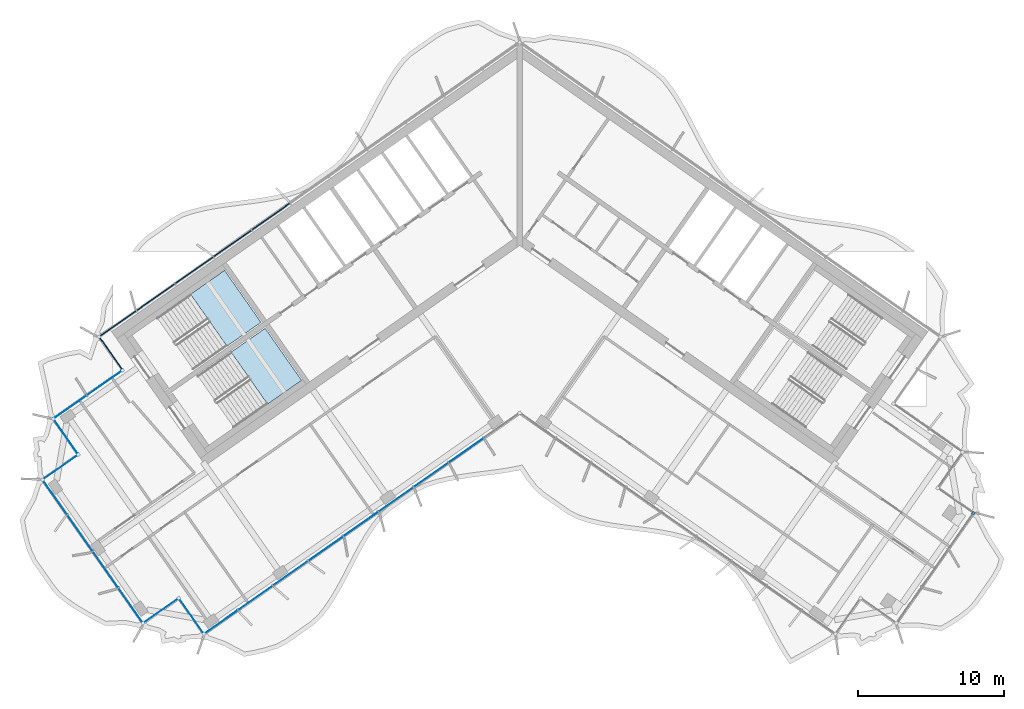
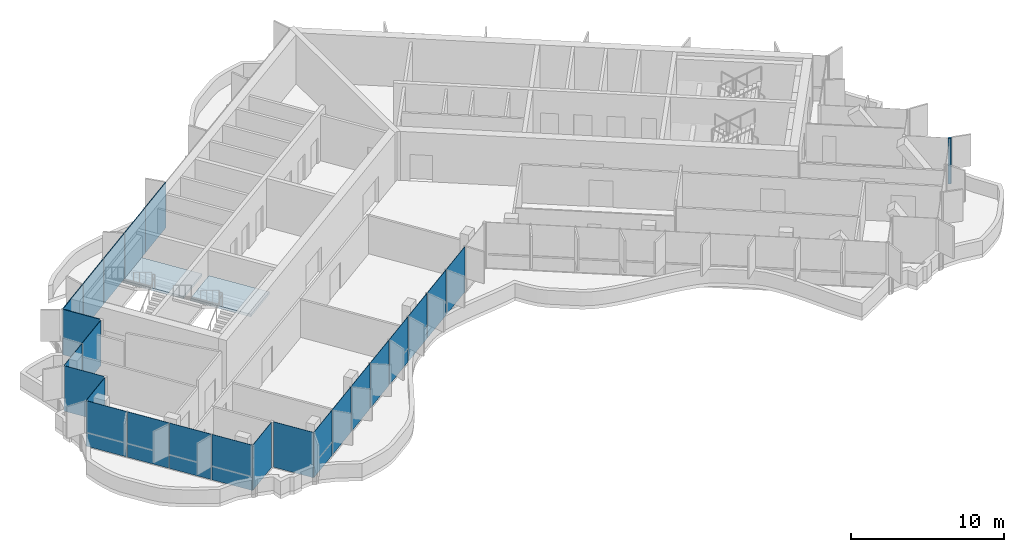
# One storey, part 7 of 18: 24 plates, 2 slabs, 1 member, 4 elements without a shape of their own.
"""IFC4 building model written with IfcOpenShell, lengths in metres."""

from ifc_helpers import new_model, si_unit, direction, frame, origin, origin_2d, place, context, subcontext, project, spatial, polyline, rectangle, outline, extrude, material, layer, layer_set, material_profile, profile_set, type_object, element, aggregate, save


model = new_model("IFC4")

# Units and contexts
model_context = context("Model", 3, precision=1e-05, world=origin(), true_north=direction((0.0, 1.0)))
body_context = subcontext(model_context, "Body", "Model", "MODEL_VIEW")
ifc_project = project(units=[si_unit("LENGTHUNIT", "METRE"), si_unit("AREAUNIT", "SQUARE_METRE"), si_unit("VOLUMEUNIT", "CUBIC_METRE"), si_unit("PLANEANGLEUNIT", "RADIAN"), si_unit("MASSUNIT", "GRAM", prefix="KILO")], contexts=[model_context])

# Site, building, storey
site_placement = place(None, origin())
site = spatial("IfcSite", under=ifc_project, at=site_placement, CompositionType="ELEMENT")
building_placement = place(site_placement, origin())
building = spatial("IfcBuilding", under=site, at=building_placement, Name="Tel Ilan Convention Tower", CompositionType="ELEMENT")
storey_placement = place(building_placement, frame((0.0, 0.0, 268.300048828125)))
storey = spatial("IfcBuildingStorey", under=building, at=storey_placement, Name="L63", CompositionType="ELEMENT", Elevation=268.300048828125)

# Curtain wall, member
ifc_material_1 = material(Name="Aluminium, bronze anodised", Category="aluminium")
curtain_wall_type_1 = type_object("IfcCurtainWallType", Name="CW5 STICK CURTAIN WALL, UPPER OFFICE LOW-IRON TINTED GLASS", PredefinedType="NOTDEFINED", material=ifc_material_1)
curtain_wall_1_placement = place(storey_placement, origin())
curtain_wall_1 = element("IfcCurtainWall", 1, at=curtain_wall_1_placement, inside=storey, type_object=curtain_wall_type_1, Name="Curtain wall CW5-48.02", PredefinedType="NOTDEFINED")
ifc_material_2 = material(Name="Aluminium, bronze anodised", Category="aluminium")
ifc_material_profile = material_profile(ifc_material_2, rectangle(XDim=0.199951171875, YDim=0.199951171875, at=origin_2d()), Name="CW CORNER MULLION 200x200")
ifc_profile_set = profile_set([ifc_material_profile], Name="Aluminium, bronze anodised")
member_type = type_object("IfcMemberType", Name="CW CORNER MULLION 200x200", PredefinedType="MULLION", material=ifc_profile_set)
member_placement = place(storey_placement, frame((31.09521484375, -19.57568359375, 0.0), z_axis=(0.0, 0.0, 1.0), x_axis=(0.573576436351, 0.819152044289, 0.0)))
member = element("IfcMember", 2, at=member_placement, type_object=member_type, Name="Corner mullion", PredefinedType="MULLION", context=body_context, shape_type="SweptSolid", body=[
    extrude(rectangle(XDim=0.199951171875, YDim=0.199951171875, at=origin_2d()), origin(), (0.0, 0.0, 1.0), 3.619873046875),
])

# Curtain wall, plates
ifc_material_3 = material(Name="Aluminium, bronze anodised", Category="aluminium")
curtain_wall_type_2 = type_object("IfcCurtainWallType", Name="CW2 STICK CURTAIN WALL, SPANDREL PANELS", PredefinedType="NOTDEFINED", material=ifc_material_3)
curtain_wall_2_placement = place(storey_placement, origin())
curtain_wall_2 = element("IfcCurtainWall", 3, at=curtain_wall_2_placement, inside=storey, type_object=curtain_wall_type_2, Name="Curtain wall CW2-48.01", PredefinedType="NOTDEFINED")
ifc_material_4 = material(Name="Aluminium composite panel, bronze anodised", Category="aluminium")
ifc_layer_1 = layer(ifc_material_4, 0.06005859375)
ifc_layer_set_1 = layer_set([ifc_layer_1], Name="CW SPANDREL PANEL 60")
plate_type_1 = type_object("IfcPlateType", Name="CW SPANDREL PANEL 60", PredefinedType="CURTAIN_PANEL", material=ifc_layer_set_1)
plate_1_placement = place(storey_placement, frame((-17.0546875, 0.754150390625, 0.0), z_axis=(0.0, 0.0, 1.0), x_axis=(-0.819152044289, -0.573576436351, 0.0)))
plate_1 = element("IfcPlate", 4, at=plate_1_placement, type_object=plate_type_1, Name="Spandrel panel", PredefinedType="CURTAIN_PANEL", context=body_context, shape_type="SweptSolid", body=[
    extrude(rectangle(XDim=3.15380859375, YDim=0.06005859375, at=origin_2d()), origin(), (0.0, 0.0, 1.0), 3.6201171875),
])
plate_2_placement = place(storey_placement, frame((-19.687255859375, -1.089111328125, 0.0), z_axis=(0.0, 0.0, 1.0), x_axis=(-0.819152044289, -0.573576436351, 0.0)))
plate_2 = element("IfcPlate", 5, at=plate_2_placement, type_object=plate_type_1, Name="Spandrel panel", PredefinedType="CURTAIN_PANEL", context=body_context, shape_type="SweptSolid", body=[
    extrude(rectangle(XDim=3.15380859375, YDim=0.06005859375, at=origin_2d()), origin(), (0.0, 0.0, 1.0), 3.6201171875),
])
plate_3_placement = place(storey_placement, frame((-22.31982421875, -2.9326171875, 0.0), z_axis=(0.0, 0.0, 1.0), x_axis=(-0.819152044289, -0.573576436351, 0.0)))
plate_3 = element("IfcPlate", 6, at=plate_3_placement, type_object=plate_type_1, Name="Spandrel panel", PredefinedType="CURTAIN_PANEL", context=body_context, shape_type="SweptSolid", body=[
    extrude(rectangle(XDim=3.15380859375, YDim=0.06005859375, at=origin_2d()), origin(), (0.0, 0.0, 1.0), 3.6201171875),
])
plate_4_placement = place(storey_placement, frame((-24.95263671875, -4.77587890625, 0.0), z_axis=(0.0, 0.0, 1.0), x_axis=(-0.819152044289, -0.573576436351, 0.0)))
plate_4 = element("IfcPlate", 7, at=plate_4_placement, type_object=plate_type_1, Name="Spandrel panel", PredefinedType="CURTAIN_PANEL", context=body_context, shape_type="SweptSolid", body=[
    extrude(rectangle(XDim=3.15380859375, YDim=0.06005859375, at=origin_2d()), origin(), (0.0, 0.0, 1.0), 3.6201171875),
])
plate_5_placement = place(storey_placement, frame((-27.5400390625, -6.587646484375, 0.0), z_axis=(0.0, 0.0, 1.0), x_axis=(-0.819152044289, -0.573576436351, 0.0)))
plate_5 = element("IfcPlate", 8, at=plate_5_placement, type_object=plate_type_1, Name="Spandrel panel", PredefinedType="CURTAIN_PANEL", context=body_context, shape_type="SweptSolid", body=[
    extrude(rectangle(XDim=3.0439453125, YDim=0.06005859375, at=origin_2d()), origin(), (0.0, 0.0, 1.0), 3.6201171875),
])
plate_6_placement = place(storey_placement, frame((-28.033935546875, -8.60546875, 0.0), z_axis=(0.0, 0.0, 1.0), x_axis=(0.573576436351, -0.819152044289, 0.0)))
plate_6 = element("IfcPlate", 9, at=plate_6_placement, type_object=plate_type_1, Name="Spandrel panel", PredefinedType="CURTAIN_PANEL", context=body_context, shape_type="SweptSolid", body=[
    extrude(rectangle(XDim=2.658935546875, YDim=0.06005859375, at=origin_2d()), origin(), (0.0, 0.0, 1.0), 3.6201171875),
])
aggregate(curtain_wall_2, [plate_1, plate_2, plate_3, plate_4, plate_5, plate_6])

# Plate
ifc_material_5 = material(Name="Glass, low-iron bronze tinted, two-ply", Category="glass")
ifc_layer_2 = layer(ifc_material_5, 0.031982421875)
ifc_layer_set_2 = layer_set([ifc_layer_2], Name="CW UPPER GLASS PANEL 32")
plate_type_2 = type_object("IfcPlateType", Name="CW UPPER GLASS PANEL 32", PredefinedType="CURTAIN_PANEL", material=ifc_layer_set_2)
plate_7_placement = place(storey_placement, frame((-28.471435546875, -10.657958984375, 0.0), z_axis=(0.0, 0.0, 1.0), x_axis=(-0.819152044289, -0.573576436351, 0.0)))
plate_7 = element("IfcPlate", 10, at=plate_7_placement, type_object=plate_type_2, Name="Glass panel", PredefinedType="CURTAIN_PANEL", context=body_context, shape_type="SweptSolid", body=[
    extrude(rectangle(XDim=2.868896484375, YDim=0.028076171875, at=origin_2d()), origin(), (0.0, 0.0, 1.0), 3.6201171875),
])

plate_8_placement = place(storey_placement, frame((-30.8203125, -12.302734375, 0.0), z_axis=(0.0, 0.0, 1.0), x_axis=(-0.819152044289, -0.573576436351, 0.0)))
plate_8 = element("IfcPlate", 11, at=plate_8_placement, type_object=plate_type_2, Name="Glass panel", PredefinedType="CURTAIN_PANEL", context=body_context, shape_type="SweptSolid", body=[
    extrude(rectangle(XDim=2.74609375, YDim=0.028076171875, at=origin_2d()), origin(), (0.0, 0.0, 1.0), 3.6201171875),
])

plate_9_placement = place(storey_placement, frame((-31.126220703125, -14.30126953125, 0.0), z_axis=(0.0, 0.0, 1.0), x_axis=(0.573576436351, -0.819152044289, 0.0)))
plate_9 = element("IfcPlate", 12, at=plate_9_placement, type_object=plate_type_2, Name="Glass panel", PredefinedType="CURTAIN_PANEL", context=body_context, shape_type="SweptSolid", body=[
    extrude(rectangle(XDim=2.875, YDim=0.028076171875, at=origin_2d()), origin(), (0.0, 0.0, 1.0), 3.6201171875),
])

plate_10_placement = place(storey_placement, frame((-31.504150390625, -16.44384765625, 0.0), z_axis=(0.0, 0.0, 1.0), x_axis=(-0.819152044289, -0.573576436351, 0.0)))
plate_10 = element("IfcPlate", 13, at=plate_10_placement, type_object=plate_type_2, Name="Glass panel", PredefinedType="CURTAIN_PANEL", context=body_context, shape_type="SweptSolid", body=[
    extrude(rectangle(XDim=2.875, YDim=0.028076171875, at=origin_2d()), origin(), (0.0, 0.0, 1.0), 3.6201171875),
])

plate_11_placement = place(storey_placement, frame((-31.85693359375, -18.488037109375, 0.0), z_axis=(0.0, 0.0, 1.0), x_axis=(0.573576436351, -0.819152044289, 0.0)))
plate_11 = element("IfcPlate", 14, at=plate_11_placement, type_object=plate_type_2, Name="Glass panel", PredefinedType="CURTAIN_PANEL", context=body_context, shape_type="SweptSolid", body=[
    extrude(rectangle(XDim=2.89599609375, YDim=0.028076171875, at=origin_2d()), origin(), (0.0, 0.0, 1.0), 3.6201171875),
])

plate_12_placement = place(storey_placement, frame((-30.134521484375, -20.94775390625, 0.0), z_axis=(0.0, 0.0, 1.0), x_axis=(0.573576436351, -0.819152044289, 0.0)))
plate_12 = element("IfcPlate", 15, at=plate_12_placement, type_object=plate_type_2, Name="Glass panel", PredefinedType="CURTAIN_PANEL", context=body_context, shape_type="SweptSolid", body=[
    extrude(rectangle(XDim=2.989990234375, YDim=0.028076171875, at=origin_2d()), origin(), (0.0, 0.0, 1.0), 3.6201171875),
])

plate_13_placement = place(storey_placement, frame((-28.38525390625, -23.4462890625, 0.0), z_axis=(0.0, 0.0, 1.0), x_axis=(0.573576436351, -0.819152044289, 0.0)))
plate_13 = element("IfcPlate", 16, at=plate_13_placement, type_object=plate_type_2, Name="Glass panel", PredefinedType="CURTAIN_PANEL", context=body_context, shape_type="SweptSolid", body=[
    extrude(rectangle(XDim=2.989990234375, YDim=0.028076171875, at=origin_2d()), origin(), (0.0, 0.0, 1.0), 3.6201171875),
])

plate_14_placement = place(storey_placement, frame((-26.66259765625, -25.90625, 0.0), z_axis=(0.0, 0.0, 1.0), x_axis=(0.573576436351, -0.819152044289, 0.0)))
plate_14 = element("IfcPlate", 17, at=plate_14_placement, type_object=plate_type_2, Name="Glass panel", PredefinedType="CURTAIN_PANEL", context=body_context, shape_type="SweptSolid", body=[
    extrude(rectangle(XDim=2.89599609375, YDim=0.028076171875, at=origin_2d()), origin(), (0.0, 0.0, 1.0), 3.6201171875),
])

plate_15_placement = place(storey_placement, frame((-24.621337890625, -26.273681640625, 0.0), z_axis=(0.0, 0.0, 1.0), x_axis=(0.819152044289, 0.573576436351, 0.0)))
plate_15 = element("IfcPlate", 18, at=plate_15_placement, type_object=plate_type_2, Name="Glass panel", PredefinedType="CURTAIN_PANEL", context=body_context, shape_type="SweptSolid", body=[
    extrude(rectangle(XDim=2.875, YDim=0.028076171875, at=origin_2d()), origin(), (0.0, 0.0, 1.0), 3.6201171875),
])

plate_16_placement = place(storey_placement, frame((-22.478515625, -26.651611328125, 0.0), z_axis=(0.0, 0.0, 1.0), x_axis=(0.573576436351, -0.819152044289, 0.0)))
plate_16 = element("IfcPlate", 19, at=plate_16_placement, type_object=plate_type_2, Name="Glass panel", PredefinedType="CURTAIN_PANEL", context=body_context, shape_type="SweptSolid", body=[
    extrude(rectangle(XDim=2.875, YDim=0.028076171875, at=origin_2d()), origin(), (0.0, 0.0, 1.0), 3.6201171875),
])

plate_17_placement = place(storey_placement, frame((-20.47998046875, -27.036376953125, 0.0), z_axis=(0.0, 0.0, 1.0), x_axis=(0.819152044289, 0.573576436351, 0.0)))
plate_17 = element("IfcPlate", 20, at=plate_17_placement, type_object=plate_type_2, Name="Glass panel", PredefinedType="CURTAIN_PANEL", context=body_context, shape_type="SweptSolid", body=[
    extrude(rectangle(XDim=2.78466796875, YDim=0.028076171875, at=origin_2d()), origin(), (0.0, 0.0, 1.0), 3.6201171875),
])

plate_18_placement = place(storey_placement, frame((-18.111328125, -25.377685546875, 0.0), z_axis=(0.0, 0.0, 1.0), x_axis=(0.819152044289, 0.573576436351, 0.0)))
plate_18 = element("IfcPlate", 21, at=plate_18_placement, type_object=plate_type_2, Name="Glass panel", PredefinedType="CURTAIN_PANEL", context=body_context, shape_type="SweptSolid", body=[
    extrude(rectangle(XDim=2.878662109375, YDim=0.028076171875, at=origin_2d()), origin(), (0.0, 0.0, 1.0), 3.6201171875),
])

plate_19_placement = place(storey_placement, frame((-15.7041015625, -23.692138671875, 0.0), z_axis=(0.0, 0.0, 1.0), x_axis=(0.819152044289, 0.573576436351, 0.0)))
plate_19 = element("IfcPlate", 22, at=plate_19_placement, type_object=plate_type_2, Name="Glass panel", PredefinedType="CURTAIN_PANEL", context=body_context, shape_type="SweptSolid", body=[
    extrude(rectangle(XDim=2.878662109375, YDim=0.028076171875, at=origin_2d()), origin(), (0.0, 0.0, 1.0), 3.6201171875),
])

plate_20_placement = place(storey_placement, frame((-13.296875, -22.006591796875, 0.0), z_axis=(0.0, 0.0, 1.0), x_axis=(0.819152044289, 0.573576436351, 0.0)))
plate_20 = element("IfcPlate", 23, at=plate_20_placement, type_object=plate_type_2, Name="Glass panel", PredefinedType="CURTAIN_PANEL", context=body_context, shape_type="SweptSolid", body=[
    extrude(rectangle(XDim=2.878662109375, YDim=0.028076171875, at=origin_2d()), origin(), (0.0, 0.0, 1.0), 3.6201171875),
])

plate_21_placement = place(storey_placement, frame((-10.8896484375, -20.321044921875, 0.0), z_axis=(0.0, 0.0, 1.0), x_axis=(0.819152044289, 0.573576436351, 0.0)))
plate_21 = element("IfcPlate", 24, at=plate_21_placement, type_object=plate_type_2, Name="Glass panel", PredefinedType="CURTAIN_PANEL", context=body_context, shape_type="SweptSolid", body=[
    extrude(rectangle(XDim=2.878662109375, YDim=0.028076171875, at=origin_2d()), origin(), (0.0, 0.0, 1.0), 3.6201171875),
])

plate_22_placement = place(storey_placement, frame((-8.482666015625, -18.635498046875, 0.0), z_axis=(0.0, 0.0, 1.0), x_axis=(0.819152044289, 0.573576436351, 0.0)))
plate_22 = element("IfcPlate", 25, at=plate_22_placement, type_object=plate_type_2, Name="Glass panel", PredefinedType="CURTAIN_PANEL", context=body_context, shape_type="SweptSolid", body=[
    extrude(rectangle(XDim=2.878662109375, YDim=0.028076171875, at=origin_2d()), origin(), (0.0, 0.0, 1.0), 3.6201171875),
])

plate_23_placement = place(storey_placement, frame((-6.075439453125, -16.949951171875, 0.0), z_axis=(0.0, 0.0, 1.0), x_axis=(0.819152044289, 0.573576436351, 0.0)))
plate_23 = element("IfcPlate", 26, at=plate_23_placement, type_object=plate_type_2, Name="Glass panel", PredefinedType="CURTAIN_PANEL", context=body_context, shape_type="SweptSolid", body=[
    extrude(rectangle(XDim=2.878662109375, YDim=0.028076171875, at=origin_2d()), origin(), (0.0, 0.0, 1.0), 3.6201171875),
])

plate_24_placement = place(storey_placement, frame((-3.668212890625, -15.264404296875, 0.0), z_axis=(0.0, 0.0, 1.0), x_axis=(0.819152044289, 0.573576436351, 0.0)))
plate_24 = element("IfcPlate", 27, at=plate_24_placement, type_object=plate_type_2, Name="Glass panel", PredefinedType="CURTAIN_PANEL", context=body_context, shape_type="SweptSolid", body=[
    extrude(rectangle(XDim=2.878662109375, YDim=0.028076171875, at=origin_2d()), origin(), (0.0, 0.0, 1.0), 3.6201171875),
])

aggregate(curtain_wall_1, [plate_7, plate_8, plate_9, plate_10, plate_11, plate_12, plate_13, plate_14, plate_15, plate_16, plate_17, plate_18, plate_19, plate_20, plate_21, plate_22, plate_23, plate_24, member])

# Stair, slab
ifc_material_6 = material(Name="Concrete C40/50", Category="concrete")
stair_type = type_object("IfcStairType", Name="Pressurised Exit Stair 22 risers 177 mm", PredefinedType="HALF_TURN_STAIR", material=ifc_material_6)
stair_1_placement = place(storey_placement, origin())
stair_1 = element("IfcStair", 28, at=stair_1_placement, inside=storey, type_object=stair_type, Name="L63 Pressurised Stair S1", PredefinedType="HALF_TURN_STAIR")
ifc_material_7 = material(Name="Concrete C40/50", Category="concrete")
ifc_layer_3 = layer(ifc_material_7, 0.199951171875)
ifc_layer_set_3 = layer_set([ifc_layer_3], Name="Concrete Stair Landing 200 mm C40/50")
slab_type = type_object("IfcSlabType", Name="Concrete Stair Landing 200 mm", PredefinedType="LANDING", material=ifc_layer_set_3)
slab_1_placement = place(storey_placement, frame((0.0, 0.0, 1.75)))
slab_1 = element("IfcSlab", 29, at=slab_1_placement, type_object=slab_type, Name="S1 landing 1", PredefinedType="LANDING", context=body_context, shape_type="SweptSolid", body=[
    extrude(outline(polyline([(-20.066650390625, -8.130126953125), (-17.7314453125, -6.494873046875), (-20.226318359375, -2.931640625), (-22.561767578125, -4.566650390625), (-20.066650390625, -8.130126953125)])), origin(), (0.0, 0.0, 1.0), 0.199951171875),
])
aggregate(stair_1, [slab_1])

stair_2_placement = place(storey_placement, origin())
stair_2 = element("IfcStair", 30, at=stair_2_placement, inside=storey, type_object=stair_type, Name="L63 Pressurised Stair S2", PredefinedType="HALF_TURN_STAIR")
slab_2_placement = place(storey_placement, frame((0.0, 0.0, 1.75)))
slab_2 = element("IfcSlab", 31, at=slab_2_placement, type_object=slab_type, Name="S2 landing 1", PredefinedType="LANDING", context=body_context, shape_type="SweptSolid", body=[
    extrude(outline(polyline([(-17.28466796875, -12.10302734375), (-14.949462890625, -10.4677734375), (-17.444580078125, -6.904541015625), (-19.77978515625, -8.53955078125), (-17.28466796875, -12.10302734375)])), origin(), (0.0, 0.0, 1.0), 0.199951171875),
])
aggregate(stair_2, [slab_2])

save(model, "model.ifc")
